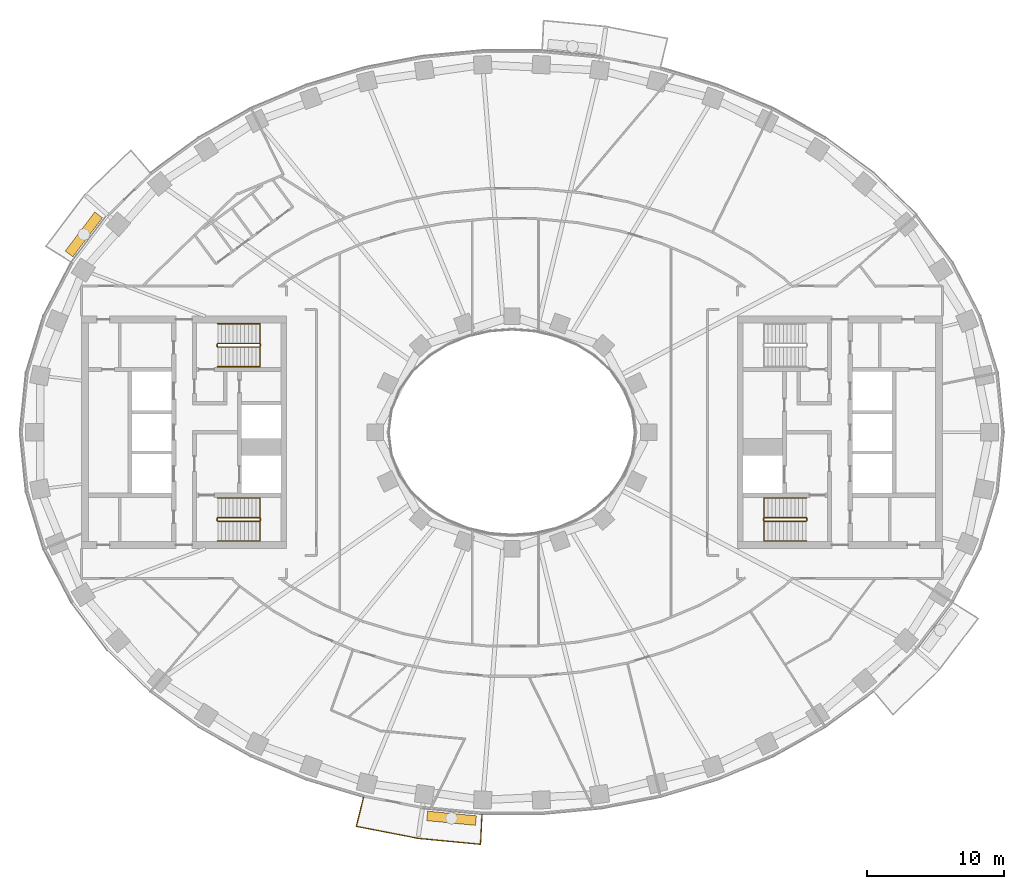
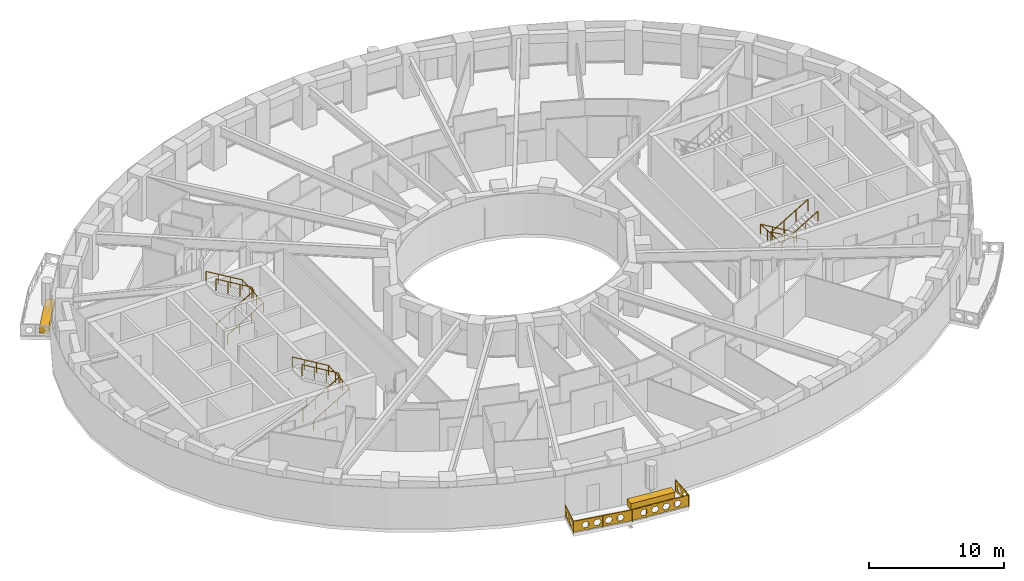
# One storey, part 15 of 17: 7 railings, 2 coverings.
"""IFC4 building model written with IfcOpenShell, lengths in metres."""

import ifcopenshell
import ifcopenshell.guid

model = None  # the IFC model being written
_history = None  # IfcOwnerHistory: only IFC2X3 demands one
_inside = {}  # id of a spatial element -> (the spatial element, [elements in it])
_under = {}  # id of a project, library or spatial element -> (it, [spatial elements below it])
_declared = {}  # id of a project -> (the project, [libraries it declares])
_typed = {}  # id of a type object -> (the type object, [elements of that type])
_made_of = {}  # id of a material, layer set ... -> (it, [elements and type objects made of it])


def new_model(schema):
    """Start an empty IFC model of exactly this schema.

    Asked for "IFC4X3", IfcOpenShell would pick the latest addendum, in which some entities
    have other attributes; the version numbers below select the first issue.
    IFC2X3 requires an IfcOwnerHistory on every rooted entity: one is made here for all.
    """
    global model, _history
    if schema == "IFC4X3":
        model = ifcopenshell.file(schema_version=(4, 3, 0, 0))
    else:
        model = ifcopenshell.file(schema=schema)
    _inside.clear()
    _under.clear()
    _declared.clear()
    _typed.clear()
    _made_of.clear()
    _history = None
    if model.schema == "IFC2X3":
        org = make("IfcOrganization", Name="unknown")
        user = make(
            "IfcPersonAndOrganization",
            ThePerson=make("IfcPerson", FamilyName="unknown"),
            TheOrganization=org,
        )
        app = make(
            "IfcApplication",
            ApplicationDeveloper=org,
            Version="unknown",
            ApplicationFullName="unknown",
            ApplicationIdentifier="unknown",
        )
        _history = make(
            "IfcOwnerHistory",
            OwningUser=user,
            OwningApplication=app,
            ChangeAction="ADDED",
            CreationDate=0,
        )
    return model


def make(cls, **values):
    """One entity of the class cls with the attributes given. An attribute that is None is left unset."""
    return model.create_entity(
        cls, **{name: value for name, value in values.items() if value is not None}
    )


def rooted(cls, **values):
    """An entity with a GlobalId (a new one), such as an element, a storey or a relation."""
    return make(cls, GlobalId=ifcopenshell.guid.new(), OwnerHistory=_history, **values)


def si_unit(unit_type, name, prefix=None):
    """IfcSIUnit, for example si_unit("LENGTHUNIT", "METRE", prefix="MILLI")."""
    return make("IfcSIUnit", UnitType=unit_type, Prefix=prefix, Name=name)


def assignment(units):
    """IfcUnitAssignment: the units of a project."""
    return None if units is None else make("IfcUnitAssignment", Units=units)


def point(xyz):
    """IfcCartesianPoint."""
    return None if xyz is None else make("IfcCartesianPoint", Coordinates=xyz)


def direction(xyz):
    """IfcDirection."""
    return None if xyz is None else make("IfcDirection", DirectionRatios=xyz)


def frame(location, z_axis=None, x_axis=None):
    """IfcAxis2Placement3D, a coordinate frame: its origin and axes. An axis left out is left unset."""
    return make(
        "IfcAxis2Placement3D",
        Location=point(location),
        Axis=direction(z_axis),
        RefDirection=direction(x_axis),
    )


def frame_2d(location, x_axis=None):
    """IfcAxis2Placement2D, a coordinate frame in the plane: its origin and x axis."""
    return make(
        "IfcAxis2Placement2D", Location=point(location), RefDirection=direction(x_axis)
    )


def origin():
    """The frame at (0, 0, 0) with its axes left unset."""
    return frame((0.0, 0.0, 0.0))


def origin_2d():
    """The frame at (0, 0) in the plane with its x axis left unset."""
    return frame_2d((0.0, 0.0))


def place(relative_to, where):
    """IfcLocalPlacement: puts the frame where relative to a parent placement (None: the world)."""
    return make(
        "IfcLocalPlacement", PlacementRelTo=relative_to, RelativePlacement=where
    )


def context(
    kind, dimensions, precision=None, world=None, true_north=None, identifier=None
):
    """IfcGeometricRepresentationContext, for example the 3D "Model" context."""
    return make(
        "IfcGeometricRepresentationContext",
        ContextIdentifier=identifier,
        ContextType=kind,
        CoordinateSpaceDimension=dimensions,
        Precision=precision,
        WorldCoordinateSystem=world,
        TrueNorth=true_north,
    )


def subcontext(parent, identifier, kind, view, scale=None):
    """IfcGeometricRepresentationSubContext, for example "Body" below "Model"."""
    return make(
        "IfcGeometricRepresentationSubContext",
        ContextIdentifier=identifier,
        ContextType=kind,
        ParentContext=parent,
        TargetScale=scale,
        TargetView=view,
    )


def project(units=None, contexts=None):
    """IfcProject with its units and contexts."""
    return rooted(
        "IfcProject",
        Name="project",
        RepresentationContexts=contexts,
        UnitsInContext=assignment(units),
    )


def spatial(cls, under=None, at=None, **own):
    """A site, building, storey or space (cls), placed at a placement, below another one or the project."""
    s = rooted(cls, ObjectPlacement=at, **own)
    if under is not None:
        _under.setdefault(under.id(), (under, []))[1].append(s)
    return s


def polyline(points):
    """IfcPolyline through the points."""
    return make("IfcPolyline", Points=[point(p) for p in points])


def profile(cls, at=None, kind="AREA", **sizes):
    """A parametric profile (cls). Its sizes go by their IFC names, for example OverallWidth=200.0."""
    return make(cls, ProfileType=kind, Position=at, **sizes)


def rectangle(**sizes):
    """IfcRectangleProfileDef."""
    return profile("IfcRectangleProfileDef", **sizes)


def outline(outer, holes=None, kind="AREA"):
    """IfcArbitraryClosedProfileDef: a profile drawn as a closed curve; with holes, ...WithVoids."""
    if holes is None:
        return make("IfcArbitraryClosedProfileDef", ProfileType=kind, OuterCurve=outer)
    return make(
        "IfcArbitraryProfileDefWithVoids",
        ProfileType=kind,
        OuterCurve=outer,
        InnerCurves=holes,
    )


def extrude(swept, where, along, depth):
    """IfcExtrudedAreaSolid: the profile swept, set in the frame where, extruded along a direction by depth."""
    return make(
        "IfcExtrudedAreaSolid",
        SweptArea=swept,
        Position=where,
        ExtrudedDirection=direction(along),
        Depth=depth,
    )


def shape(context_of_items, identifier, shape_type, items):
    """IfcShapeRepresentation: the items that make up one representation, for example the "Body"."""
    return make(
        "IfcShapeRepresentation",
        ContextOfItems=context_of_items,
        RepresentationIdentifier=identifier,
        RepresentationType=shape_type,
        Items=items,
    )


def material(Name=None, Category=None):
    """IfcMaterial."""
    return make("IfcMaterial", Name=Name, Category=Category)


def made_of(thing, what):
    """Note that an element or type object is made of a material, layer set ...; save() writes the relation."""
    if what is not None:
        _made_of.setdefault(what.id(), (what, []))[1].append(thing)
    return thing


def type_object(cls, material=None, **own):
    """A type object (cls), such as IfcWallType, which elements share."""
    return made_of(rooted(cls, **own), material)


def element(
    cls,
    number,
    at=None,
    inside=None,
    cuts=None,
    type_object=None,
    material=None,
    context=None,
    identifier="Body",
    shape_type=None,
    held_by="IfcProductDefinitionShape",
    body=None,
    shapes=None,
    **own,
):
    """One element of the class cls, such as IfcWall. Its Tag is "e" and its number.

    at: its placement. inside: the storey or other place that contains it. cuts: it is an
    opening in that element (IfcRelVoidsElement). A single representation is given by context,
    identifier, shape_type and body (its items); several are given by shapes. held_by: the class
    of the entity that holds the representations. save() writes the other relations.
    """
    e = rooted(cls, Tag="e%d" % number, ObjectPlacement=at, **own)
    if body is not None:
        shapes = [shape(context, identifier, shape_type, body)]
    if shapes is not None:
        e.Representation = make(held_by, Representations=shapes)
    if inside is not None:
        _inside.setdefault(inside.id(), (inside, []))[1].append(e)
    if cuts is not None:
        rooted(
            "IfcRelVoidsElement", RelatingBuildingElement=cuts, RelatedOpeningElement=e
        )
    if type_object is not None:
        _typed.setdefault(type_object.id(), (type_object, []))[1].append(e)
    return made_of(e, material)


def aggregate(whole, parts):
    """IfcRelAggregates: a whole, such as a stair, and the parts it consists of."""
    return rooted("IfcRelAggregates", RelatingObject=whole, RelatedObjects=parts)


def save(model, path):
    """Write the relations noted so far, then the file.

    IfcRelAggregates (storeys below a building ...), IfcRelContainedInSpatialStructure (elements
    in a storey), IfcRelDefinesByType, IfcRelAssociatesMaterial and IfcRelDeclares: one each for
    every whole, place, type object, material and project.
    """
    for whole, parts in _under.values():
        aggregate(whole, parts)
    for where, things in _inside.values():
        rooted(
            "IfcRelContainedInSpatialStructure",
            RelatedElements=things,
            RelatingStructure=where,
        )
    for kind, things in _typed.values():
        rooted("IfcRelDefinesByType", RelatedObjects=things, RelatingType=kind)
    for what, things in _made_of.values():
        rooted("IfcRelAssociatesMaterial", RelatedObjects=things, RelatingMaterial=what)
    for by, libraries in _declared.values():
        rooted("IfcRelDeclares", RelatingContext=by, RelatedDefinitions=libraries)
    model.write(path)


model = new_model("IFC4")

# Units and contexts
model_context = context("Model", 3, precision=1e-05, world=origin(), true_north=direction((0.0, 1.0)))
body_context = subcontext(model_context, "Body", "Model", "MODEL_VIEW")
ifc_project = project(units=[si_unit("LENGTHUNIT", "METRE"), si_unit("AREAUNIT", "SQUARE_METRE"), si_unit("VOLUMEUNIT", "CUBIC_METRE"), si_unit("PLANEANGLEUNIT", "RADIAN"), si_unit("MASSUNIT", "GRAM", prefix="KILO")], contexts=[model_context])

# Site, building, storey
site_placement = place(None, origin())
site = spatial("IfcSite", under=ifc_project, at=site_placement, CompositionType="ELEMENT")
building_placement = place(site_placement, origin())
building = spatial("IfcBuilding", under=site, at=building_placement, Name="Noorbagh Ring Tower", CompositionType="ELEMENT")
storey_placement = place(building_placement, frame((0.0, 0.0, 112.0)))
storey = spatial("IfcBuildingStorey", under=building, at=storey_placement, Name="L25", CompositionType="ELEMENT", Elevation=112.0)

# Railings
ifc_material_1 = material(Name="Stainless steel", Category="steel")
railing_type_1 = type_object("IfcRailingType", Name="CORE-STAIR-GUARD", PredefinedType="GUARDRAIL", material=ifc_material_1)
railing_1_placement = place(storey_placement, frame((-21.580078125, 6.300048828125, 0.0)))
element("IfcRailing", 1, at=railing_1_placement, inside=storey, type_object=railing_type_1, Name="L25 ST1 stair guard", PredefinedType="GUARDRAIL", context=body_context, shape_type="SweptSolid", body=[
    extrude(rectangle(XDim=0.048095703125, YDim=0.048095703125, at=origin_2d()), frame((0.0, 0.0, 1.076171875), z_axis=(0.0, 1.0, 0.0), x_axis=(-1.0, 0.0, 0.0)), (0.0, 0.0, 1.0), 0.14990234375),
    extrude(rectangle(XDim=0.048095703125, YDim=0.048095703125, at=origin_2d()), frame((0.0, 0.14990234375, 1.076171875), z_axis=(0.188775798145, -0.754182335027, 0.628945707965), x_axis=(0.970072785993, 0.242814311512, 0.0)), (0.0, 0.0, 1.0), 0.26513671875),
    extrude(rectangle(XDim=0.048095703125, YDim=0.048095703125, at=origin_2d()), frame((0.050048828125, -0.050048828125, 1.24267578125), z_axis=(0.859308565015, 0.0, 0.511457515432), x_axis=(0.0, 1.0, 0.0)), (0.0, 0.0, 1.0), 3.58447265625),
    extrude(rectangle(XDim=0.048095703125, YDim=0.048095703125, at=origin_2d()), frame((3.130126953125, -0.050048828125, 3.076171875), z_axis=(0.707106781187, 0.707106781187, 0.0), x_axis=(-0.707106781187, 0.707106781187, 0.0)), (0.0, 0.0, 1.0), 0.07080078125),
    extrude(rectangle(XDim=0.048095703125, YDim=0.048095703125, at=origin_2d()), frame((3.18017578125, 0.0, 3.076171875), z_axis=(0.0, 1.0, 0.0), x_axis=(-1.0, 0.0, 0.0)), (0.0, 0.0, 1.0), 0.14990234375),
    extrude(rectangle(XDim=0.048095703125, YDim=0.048095703125, at=origin_2d()), frame((3.18017578125, 0.14990234375, 3.076171875), z_axis=(-0.27628659633, 0.27628659633, 0.920506074601), x_axis=(-0.707106781187, -0.707106781187, 0.0)), (0.0, 0.0, 1.0), 0.18115234375),
    extrude(rectangle(XDim=0.048095703125, YDim=0.048095703125, at=origin_2d()), frame((3.130126953125, 0.199951171875, 3.24267578125), z_axis=(-0.859308565015, 0.0, 0.511457515432), x_axis=(0.0, -1.0, 0.0)), (0.0, 0.0, 1.0), 3.58447265625),
    extrude(rectangle(XDim=0.0419921875, YDim=0.0419921875, at=origin_2d()), origin(), (0.0, 0.0, 1.0), 1.052001953125),
    extrude(rectangle(XDim=0.0419921875, YDim=0.0419921875, at=origin_2d()), frame((1.07666015625, -0.050048828125, 0.77783203125)), (0.0, 0.0, 1.0), 1.052001953125),
    extrude(rectangle(XDim=0.0419921875, YDim=0.0419921875, at=origin_2d()), frame((2.103515625, -0.050048828125, 1.388916015625)), (0.0, 0.0, 1.0), 1.052001953125),
    extrude(rectangle(XDim=0.0419921875, YDim=0.0419921875, at=origin_2d()), frame((3.130126953125, -0.050048828125, 2.0)), (0.0, 0.0, 1.0), 1.052001953125),
    extrude(rectangle(XDim=0.0419921875, YDim=0.0419921875, at=origin_2d()), frame((3.130126953125, 0.199951171875, 2.166748046875)), (0.0, 0.0, 1.0), 1.052001953125),
    extrude(rectangle(XDim=0.0419921875, YDim=0.0419921875, at=origin_2d()), frame((2.103515625, 0.199951171875, 2.77783203125)), (0.0, 0.0, 1.0), 1.052001953125),
    extrude(rectangle(XDim=0.0419921875, YDim=0.0419921875, at=origin_2d()), frame((1.07666015625, 0.199951171875, 3.388916015625)), (0.0, 0.0, 1.0), 1.052001953125),
    extrude(rectangle(XDim=0.0419921875, YDim=0.0419921875, at=origin_2d()), frame((0.050048828125, 0.199951171875, 4.0)), (0.0, 0.0, 1.0), 1.052001953125),
])
railing_2_placement = place(storey_placement, frame((-21.580078125, -6.449951171875, 0.0)))
element("IfcRailing", 2, at=railing_2_placement, inside=storey, type_object=railing_type_1, Name="L25 ST2 stair guard", PredefinedType="GUARDRAIL", context=body_context, shape_type="SweptSolid", body=[
    extrude(rectangle(XDim=0.048095703125, YDim=0.048095703125, at=origin_2d()), frame((0.0, 0.0, 1.076171875), z_axis=(0.0, 1.0, 0.0), x_axis=(-1.0, 0.0, 0.0)), (0.0, 0.0, 1.0), 0.14990234375),
    extrude(rectangle(XDim=0.048095703125, YDim=0.048095703125, at=origin_2d()), frame((0.0, 0.14990234375, 1.076171875), z_axis=(0.188775798145, -0.754182335027, 0.628945707965), x_axis=(0.970072785993, 0.242814311512, 0.0)), (0.0, 0.0, 1.0), 0.26513671875),
    extrude(rectangle(XDim=0.048095703125, YDim=0.048095703125, at=origin_2d()), frame((0.050048828125, -0.050048828125, 1.24267578125), z_axis=(0.859308565015, 0.0, 0.511457515432), x_axis=(0.0, 1.0, 0.0)), (0.0, 0.0, 1.0), 3.58447265625),
    extrude(rectangle(XDim=0.048095703125, YDim=0.048095703125, at=origin_2d()), frame((3.130126953125, -0.050048828125, 3.076171875), z_axis=(0.707106781187, 0.707106781187, 0.0), x_axis=(-0.707106781187, 0.707106781187, 0.0)), (0.0, 0.0, 1.0), 0.07080078125),
    extrude(rectangle(XDim=0.048095703125, YDim=0.048095703125, at=origin_2d()), frame((3.18017578125, 0.0, 3.076171875), z_axis=(0.0, 1.0, 0.0), x_axis=(-1.0, 0.0, 0.0)), (0.0, 0.0, 1.0), 0.14990234375),
    extrude(rectangle(XDim=0.048095703125, YDim=0.048095703125, at=origin_2d()), frame((3.18017578125, 0.14990234375, 3.076171875), z_axis=(-0.27628659633, 0.27628659633, 0.920506074601), x_axis=(-0.707106781187, -0.707106781187, 0.0)), (0.0, 0.0, 1.0), 0.18115234375),
    extrude(rectangle(XDim=0.048095703125, YDim=0.048095703125, at=origin_2d()), frame((3.130126953125, 0.199951171875, 3.24267578125), z_axis=(-0.859308565015, 0.0, 0.511457515432), x_axis=(0.0, -1.0, 0.0)), (0.0, 0.0, 1.0), 3.58447265625),
    extrude(rectangle(XDim=0.0419921875, YDim=0.0419921875, at=origin_2d()), origin(), (0.0, 0.0, 1.0), 1.052001953125),
    extrude(rectangle(XDim=0.0419921875, YDim=0.0419921875, at=origin_2d()), frame((1.07666015625, -0.050048828125, 0.77783203125)), (0.0, 0.0, 1.0), 1.052001953125),
    extrude(rectangle(XDim=0.0419921875, YDim=0.0419921875, at=origin_2d()), frame((2.103515625, -0.050048828125, 1.388916015625)), (0.0, 0.0, 1.0), 1.052001953125),
    extrude(rectangle(XDim=0.0419921875, YDim=0.0419921875, at=origin_2d()), frame((3.130126953125, -0.050048828125, 2.0)), (0.0, 0.0, 1.0), 1.052001953125),
    extrude(rectangle(XDim=0.0419921875, YDim=0.0419921875, at=origin_2d()), frame((3.130126953125, 0.199951171875, 2.166748046875)), (0.0, 0.0, 1.0), 1.052001953125),
    extrude(rectangle(XDim=0.0419921875, YDim=0.0419921875, at=origin_2d()), frame((2.103515625, 0.199951171875, 2.77783203125)), (0.0, 0.0, 1.0), 1.052001953125),
    extrude(rectangle(XDim=0.0419921875, YDim=0.0419921875, at=origin_2d()), frame((1.07666015625, 0.199951171875, 3.388916015625)), (0.0, 0.0, 1.0), 1.052001953125),
    extrude(rectangle(XDim=0.0419921875, YDim=0.0419921875, at=origin_2d()), frame((0.050048828125, 0.199951171875, 4.0)), (0.0, 0.0, 1.0), 1.052001953125),
])
railing_3_placement = place(storey_placement, frame((21.580078125, -6.300048828125, 0.0)))
element("IfcRailing", 3, at=railing_3_placement, inside=storey, type_object=railing_type_1, Name="L25 ST4 stair guard", PredefinedType="GUARDRAIL", context=body_context, shape_type="SweptSolid", body=[
    extrude(rectangle(XDim=0.048095703125, YDim=0.048095703125, at=origin_2d()), frame((0.0, 0.0, 1.076171875), z_axis=(0.0, -1.0, 0.0), x_axis=(1.0, 0.0, 0.0)), (0.0, 0.0, 1.0), 0.14990234375),
    extrude(rectangle(XDim=0.048095703125, YDim=0.048095703125, at=origin_2d()), frame((0.0, -0.14990234375, 1.076171875), z_axis=(-0.188775798145, 0.754182335027, 0.628945707965), x_axis=(-0.970072785993, -0.242814311512, 0.0)), (0.0, 0.0, 1.0), 0.26513671875),
    extrude(rectangle(XDim=0.048095703125, YDim=0.048095703125, at=origin_2d()), frame((-0.050048828125, 0.050048828125, 1.24267578125), z_axis=(-0.859308565015, 0.0, 0.511457515432), x_axis=(0.0, -1.0, 0.0)), (0.0, 0.0, 1.0), 3.58447265625),
    extrude(rectangle(XDim=0.048095703125, YDim=0.048095703125, at=origin_2d()), frame((-3.130126953125, 0.050048828125, 3.076171875), z_axis=(-0.707106781187, -0.707106781187, 0.0), x_axis=(0.707106781187, -0.707106781187, 0.0)), (0.0, 0.0, 1.0), 0.07080078125),
    extrude(rectangle(XDim=0.048095703125, YDim=0.048095703125, at=origin_2d()), frame((-3.18017578125, 0.0, 3.076171875), z_axis=(0.0, -1.0, 0.0), x_axis=(1.0, 0.0, 0.0)), (0.0, 0.0, 1.0), 0.14990234375),
    extrude(rectangle(XDim=0.048095703125, YDim=0.048095703125, at=origin_2d()), frame((-3.18017578125, -0.14990234375, 3.076171875), z_axis=(0.27628659633, -0.27628659633, 0.920506074601), x_axis=(0.707106781187, 0.707106781187, 0.0)), (0.0, 0.0, 1.0), 0.18115234375),
    extrude(rectangle(XDim=0.048095703125, YDim=0.048095703125, at=origin_2d()), frame((-3.130126953125, -0.199951171875, 3.24267578125), z_axis=(0.859308565015, 0.0, 0.511457515432), x_axis=(0.0, 1.0, 0.0)), (0.0, 0.0, 1.0), 3.58447265625),
    extrude(rectangle(XDim=0.0419921875, YDim=0.0419921875, at=origin_2d()), origin(), (0.0, 0.0, 1.0), 1.052001953125),
    extrude(rectangle(XDim=0.0419921875, YDim=0.0419921875, at=origin_2d()), frame((-1.07666015625, 0.050048828125, 0.77783203125)), (0.0, 0.0, 1.0), 1.052001953125),
    extrude(rectangle(XDim=0.0419921875, YDim=0.0419921875, at=origin_2d()), frame((-2.103515625, 0.050048828125, 1.388916015625)), (0.0, 0.0, 1.0), 1.052001953125),
    extrude(rectangle(XDim=0.0419921875, YDim=0.0419921875, at=origin_2d()), frame((-3.130126953125, 0.050048828125, 2.0)), (0.0, 0.0, 1.0), 1.052001953125),
    extrude(rectangle(XDim=0.0419921875, YDim=0.0419921875, at=origin_2d()), frame((-3.130126953125, -0.199951171875, 2.166748046875)), (0.0, 0.0, 1.0), 1.052001953125),
    extrude(rectangle(XDim=0.0419921875, YDim=0.0419921875, at=origin_2d()), frame((-2.103515625, -0.199951171875, 2.77783203125)), (0.0, 0.0, 1.0), 1.052001953125),
    extrude(rectangle(XDim=0.0419921875, YDim=0.0419921875, at=origin_2d()), frame((-1.07666015625, -0.199951171875, 3.388916015625)), (0.0, 0.0, 1.0), 1.052001953125),
    extrude(rectangle(XDim=0.0419921875, YDim=0.0419921875, at=origin_2d()), frame((-0.050048828125, -0.199951171875, 4.0)), (0.0, 0.0, 1.0), 1.052001953125),
])
ifc_material_2 = material(Name="Stainless steel", Category="steel")
railing_type_2 = type_object("IfcRailingType", Name="CORE-STAIR-HANDRAIL", PredefinedType="HANDRAIL", material=ifc_material_2)
railing_4_placement = place(storey_placement, frame((-21.530029296875, 4.800048828125, 0.166748046875)))
element("IfcRailing", 4, at=railing_4_placement, inside=storey, type_object=railing_type_2, Name="L25 ST1 stair handrail", PredefinedType="HANDRAIL", context=body_context, shape_type="SweptSolid", body=[
    extrude(rectangle(XDim=0.048095703125, YDim=0.048095703125, at=origin_2d()), frame((0.0, 0.0, 0.8759765625), z_axis=(0.859308565015, 0.0, 0.511457515432), x_axis=(0.0, 1.0, 0.0)), (0.0, 0.0, 1.0), 3.58447265625),
    extrude(rectangle(XDim=0.048095703125, YDim=0.048095703125, at=origin_2d()), frame((3.080078125, 0.0, 2.708984375), z_axis=(0.0, 0.998601747152, 0.052863509014), x_axis=(-1.0, 0.0, 0.0)), (0.0, 0.0, 1.0), 3.154296875),
    extrude(rectangle(XDim=0.048095703125, YDim=0.048095703125, at=origin_2d()), frame((3.080078125, 3.14990234375, 2.8759765625), z_axis=(-0.859308565015, 0.0, 0.511457515432), x_axis=(0.0, -1.0, 0.0)), (0.0, 0.0, 1.0), 3.58447265625),
    extrude(rectangle(XDim=0.0419921875, YDim=0.0419921875, at=origin_2d()), origin(), (0.0, 0.0, 1.0), 0.851806640625),
    extrude(rectangle(XDim=0.0419921875, YDim=0.0419921875, at=origin_2d()), frame((1.026611328125, 0.0, 0.611083984375)), (0.0, 0.0, 1.0), 0.851806640625),
    extrude(rectangle(XDim=0.0419921875, YDim=0.0419921875, at=origin_2d()), frame((2.053466796875, 0.0, 1.22216796875)), (0.0, 0.0, 1.0), 0.851806640625),
    extrude(rectangle(XDim=0.0419921875, YDim=0.0419921875, at=origin_2d()), frame((3.080078125, 0.0, 1.833251953125)), (0.0, 0.0, 1.0), 0.851806640625),
    extrude(rectangle(XDim=0.0419921875, YDim=0.0419921875, at=origin_2d()), frame((3.080078125, 1.050048828125, 1.888916015625)), (0.0, 0.0, 1.0), 0.851806640625),
    extrude(rectangle(XDim=0.0419921875, YDim=0.0419921875, at=origin_2d()), frame((3.080078125, 2.099853515625, 1.9443359375)), (0.0, 0.0, 1.0), 0.851806640625),
    extrude(rectangle(XDim=0.0419921875, YDim=0.0419921875, at=origin_2d()), frame((3.080078125, 3.14990234375, 2.0)), (0.0, 0.0, 1.0), 0.851806640625),
    extrude(rectangle(XDim=0.0419921875, YDim=0.0419921875, at=origin_2d()), frame((2.053466796875, 3.14990234375, 2.611083984375)), (0.0, 0.0, 1.0), 0.851806640625),
    extrude(rectangle(XDim=0.0419921875, YDim=0.0419921875, at=origin_2d()), frame((1.026611328125, 3.14990234375, 3.22216796875)), (0.0, 0.0, 1.0), 0.851806640625),
    extrude(rectangle(XDim=0.0419921875, YDim=0.0419921875, at=origin_2d()), frame((0.0, 3.14990234375, 3.833251953125)), (0.0, 0.0, 1.0), 0.851806640625),
])
railing_5_placement = place(storey_placement, frame((-21.530029296875, -7.949951171875, 0.166748046875)))
element("IfcRailing", 5, at=railing_5_placement, inside=storey, type_object=railing_type_2, Name="L25 ST2 stair handrail", PredefinedType="HANDRAIL", context=body_context, shape_type="SweptSolid", body=[
    extrude(rectangle(XDim=0.048095703125, YDim=0.048095703125, at=origin_2d()), frame((0.0, 0.0, 0.8759765625), z_axis=(0.859308565015, 0.0, 0.511457515432), x_axis=(0.0, 1.0, 0.0)), (0.0, 0.0, 1.0), 3.58447265625),
    extrude(rectangle(XDim=0.048095703125, YDim=0.048095703125, at=origin_2d()), frame((3.080078125, 0.0, 2.708984375), z_axis=(0.0, 0.998601747152, 0.052863509014), x_axis=(-1.0, 0.0, 0.0)), (0.0, 0.0, 1.0), 3.154296875),
    extrude(rectangle(XDim=0.048095703125, YDim=0.048095703125, at=origin_2d()), frame((3.080078125, 3.14990234375, 2.8759765625), z_axis=(-0.859308565015, 0.0, 0.511457515432), x_axis=(0.0, -1.0, 0.0)), (0.0, 0.0, 1.0), 3.58447265625),
    extrude(rectangle(XDim=0.0419921875, YDim=0.0419921875, at=origin_2d()), origin(), (0.0, 0.0, 1.0), 0.851806640625),
    extrude(rectangle(XDim=0.0419921875, YDim=0.0419921875, at=origin_2d()), frame((1.026611328125, 0.0, 0.611083984375)), (0.0, 0.0, 1.0), 0.851806640625),
    extrude(rectangle(XDim=0.0419921875, YDim=0.0419921875, at=origin_2d()), frame((2.053466796875, 0.0, 1.22216796875)), (0.0, 0.0, 1.0), 0.851806640625),
    extrude(rectangle(XDim=0.0419921875, YDim=0.0419921875, at=origin_2d()), frame((3.080078125, 0.0, 1.833251953125)), (0.0, 0.0, 1.0), 0.851806640625),
    extrude(rectangle(XDim=0.0419921875, YDim=0.0419921875, at=origin_2d()), frame((3.080078125, 1.050048828125, 1.888916015625)), (0.0, 0.0, 1.0), 0.851806640625),
    extrude(rectangle(XDim=0.0419921875, YDim=0.0419921875, at=origin_2d()), frame((3.080078125, 2.099853515625, 1.9443359375)), (0.0, 0.0, 1.0), 0.851806640625),
    extrude(rectangle(XDim=0.0419921875, YDim=0.0419921875, at=origin_2d()), frame((3.080078125, 3.14990234375, 2.0)), (0.0, 0.0, 1.0), 0.851806640625),
    extrude(rectangle(XDim=0.0419921875, YDim=0.0419921875, at=origin_2d()), frame((2.053466796875, 3.14990234375, 2.611083984375)), (0.0, 0.0, 1.0), 0.851806640625),
    extrude(rectangle(XDim=0.0419921875, YDim=0.0419921875, at=origin_2d()), frame((1.026611328125, 3.14990234375, 3.22216796875)), (0.0, 0.0, 1.0), 0.851806640625),
    extrude(rectangle(XDim=0.0419921875, YDim=0.0419921875, at=origin_2d()), frame((0.0, 3.14990234375, 3.833251953125)), (0.0, 0.0, 1.0), 0.851806640625),
])
railing_6_placement = place(storey_placement, frame((21.530029296875, -4.800048828125, 0.166748046875)))
element("IfcRailing", 6, at=railing_6_placement, inside=storey, type_object=railing_type_2, Name="L25 ST4 stair handrail", PredefinedType="HANDRAIL", context=body_context, shape_type="SweptSolid", body=[
    extrude(rectangle(XDim=0.048095703125, YDim=0.048095703125, at=origin_2d()), frame((0.0, 0.0, 0.8759765625), z_axis=(-0.859308565015, 0.0, 0.511457515432), x_axis=(0.0, -1.0, 0.0)), (0.0, 0.0, 1.0), 3.58447265625),
    extrude(rectangle(XDim=0.048095703125, YDim=0.048095703125, at=origin_2d()), frame((-3.080078125, 0.0, 2.708984375), z_axis=(0.0, -0.998601747152, 0.052863509014), x_axis=(1.0, 0.0, 0.0)), (0.0, 0.0, 1.0), 3.154296875),
    extrude(rectangle(XDim=0.048095703125, YDim=0.048095703125, at=origin_2d()), frame((-3.080078125, -3.14990234375, 2.8759765625), z_axis=(0.859308565015, 0.0, 0.511457515432), x_axis=(0.0, 1.0, 0.0)), (0.0, 0.0, 1.0), 3.58447265625),
    extrude(rectangle(XDim=0.0419921875, YDim=0.0419921875, at=origin_2d()), origin(), (0.0, 0.0, 1.0), 0.851806640625),
    extrude(rectangle(XDim=0.0419921875, YDim=0.0419921875, at=origin_2d()), frame((-1.026611328125, 0.0, 0.611083984375)), (0.0, 0.0, 1.0), 0.851806640625),
    extrude(rectangle(XDim=0.0419921875, YDim=0.0419921875, at=origin_2d()), frame((-2.053466796875, 0.0, 1.22216796875)), (0.0, 0.0, 1.0), 0.851806640625),
    extrude(rectangle(XDim=0.0419921875, YDim=0.0419921875, at=origin_2d()), frame((-3.080078125, 0.0, 1.833251953125)), (0.0, 0.0, 1.0), 0.851806640625),
    extrude(rectangle(XDim=0.0419921875, YDim=0.0419921875, at=origin_2d()), frame((-3.080078125, -1.050048828125, 1.888916015625)), (0.0, 0.0, 1.0), 0.851806640625),
    extrude(rectangle(XDim=0.0419921875, YDim=0.0419921875, at=origin_2d()), frame((-3.080078125, -2.099853515625, 1.9443359375)), (0.0, 0.0, 1.0), 0.851806640625),
    extrude(rectangle(XDim=0.0419921875, YDim=0.0419921875, at=origin_2d()), frame((-3.080078125, -3.14990234375, 2.0)), (0.0, 0.0, 1.0), 0.851806640625),
    extrude(rectangle(XDim=0.0419921875, YDim=0.0419921875, at=origin_2d()), frame((-2.053466796875, -3.14990234375, 2.611083984375)), (0.0, 0.0, 1.0), 0.851806640625),
    extrude(rectangle(XDim=0.0419921875, YDim=0.0419921875, at=origin_2d()), frame((-1.026611328125, -3.14990234375, 3.22216796875)), (0.0, 0.0, 1.0), 0.851806640625),
    extrude(rectangle(XDim=0.0419921875, YDim=0.0419921875, at=origin_2d()), frame((0.0, -3.14990234375, 3.833251953125)), (0.0, 0.0, 1.0), 0.851806640625),
])
ifc_material_3 = material(Name="Steel S275 black powder-coated", Category="steel")
railing_type_3 = type_object("IfcRailingType", Name="ENV-GUARD", PredefinedType="GUARDRAIL", material=ifc_material_3)
railing_7_placement = place(storey_placement, frame((-10.865234375, -26.6943359375, 0.0)))
element("IfcRailing", 7, at=railing_7_placement, inside=storey, type_object=railing_type_3, Name="Balcony guard BS03", PredefinedType="GUARDRAIL", context=body_context, shape_type="SweptSolid", body=[
    extrude(rectangle(XDim=0.048095703125, YDim=0.048095703125, at=origin_2d()), frame((0.0, 0.0, 1.076171875), z_axis=(-0.239848558412, -0.970810315679, 0.0), x_axis=(0.970810315679, -0.239848558412, 0.0)), (0.0, 0.0, 1.0), 2.20263671875),
    extrude(rectangle(XDim=0.048095703125, YDim=0.048095703125, at=origin_2d()), frame((-0.5283203125, -2.138427734375, 1.076171875), z_axis=(0.981625049064, -0.1908199755, 0.0), x_axis=(0.1908199755, 0.981625049064, 0.0)), (0.0, 0.0, 1.0), 4.603271484375),
    extrude(rectangle(XDim=0.048095703125, YDim=0.048095703125, at=origin_2d()), frame((3.990478515625, -3.016845703125, 1.076171875), z_axis=(0.995477555764, -0.094997031379, 0.0), x_axis=(0.094997031379, 0.995477555764, 0.0)), (0.0, 0.0, 1.0), 4.59765625),
    extrude(rectangle(XDim=0.048095703125, YDim=0.048095703125, at=origin_2d()), frame((8.5673828125, -3.45361328125, 1.076171875), z_axis=(0.047554616162, 0.998868639252, 0.0), x_axis=(-0.998868639252, 0.047554616162, 0.0)), (0.0, 0.0, 1.0), 2.202392578125),
    extrude(rectangle(XDim=0.0419921875, YDim=0.0419921875, at=origin_2d()), origin(), (0.0, 0.0, 1.0), 1.052001953125),
    extrude(rectangle(XDim=0.0419921875, YDim=0.0419921875, at=origin_2d()), frame((-0.26416015625, -1.0693359375, 0.0)), (0.0, 0.0, 1.0), 1.052001953125),
    extrude(rectangle(XDim=0.0419921875, YDim=0.0419921875, at=origin_2d()), frame((-0.5283203125, -2.138427734375, 0.0)), (0.0, 0.0, 1.0), 1.052001953125),
    extrude(rectangle(XDim=0.0419921875, YDim=0.0419921875, at=origin_2d()), frame((0.601318359375, -2.35791015625, 0.0)), (0.0, 0.0, 1.0), 1.052001953125),
    extrude(rectangle(XDim=0.0419921875, YDim=0.0419921875, at=origin_2d()), frame((1.73095703125, -2.57763671875, 0.0)), (0.0, 0.0, 1.0), 1.052001953125),
    extrude(rectangle(XDim=0.0419921875, YDim=0.0419921875, at=origin_2d()), frame((2.86083984375, -2.79736328125, 0.0)), (0.0, 0.0, 1.0), 1.052001953125),
    extrude(rectangle(XDim=0.0419921875, YDim=0.0419921875, at=origin_2d()), frame((3.990478515625, -3.016845703125, 0.0)), (0.0, 0.0, 1.0), 1.052001953125),
    extrude(rectangle(XDim=0.0419921875, YDim=0.0419921875, at=origin_2d()), frame((5.134765625, -3.1259765625, 0.0)), (0.0, 0.0, 1.0), 1.052001953125),
    extrude(rectangle(XDim=0.0419921875, YDim=0.0419921875, at=origin_2d()), frame((6.27880859375, -3.2353515625, 0.0)), (0.0, 0.0, 1.0), 1.052001953125),
    extrude(rectangle(XDim=0.0419921875, YDim=0.0419921875, at=origin_2d()), frame((7.423095703125, -3.344482421875, 0.0)), (0.0, 0.0, 1.0), 1.052001953125),
    extrude(rectangle(XDim=0.0419921875, YDim=0.0419921875, at=origin_2d()), frame((8.5673828125, -3.45361328125, 0.0)), (0.0, 0.0, 1.0), 1.052001953125),
    extrude(rectangle(XDim=0.0419921875, YDim=0.0419921875, at=origin_2d()), frame((8.61962890625, -2.353515625, 0.0)), (0.0, 0.0, 1.0), 1.052001953125),
    extrude(rectangle(XDim=0.0419921875, YDim=0.0419921875, at=origin_2d()), frame((8.672119140625, -1.253662109375, 0.0)), (0.0, 0.0, 1.0), 1.052001953125),
    extrude(outline(polyline([(0.0, 0.10009765625), (2.20263671875, 0.10009765625), (2.20263671875, 1.031982421875), (0.0, 1.031982421875), (0.0, 0.10009765625)]), holes=[polyline([(0.96142578125, 0.56591796875), (0.806396484375, 0.83447265625), (0.496337890625, 0.83447265625), (0.34130859375, 0.56591796875), (0.496337890625, 0.297607421875), (0.806396484375, 0.297607421875), (0.96142578125, 0.56591796875)]), polyline([(1.861328125, 0.56591796875), (1.706298828125, 0.83447265625), (1.396240234375, 0.83447265625), (1.241455078125, 0.56591796875), (1.396240234375, 0.297607421875), (1.706298828125, 0.297607421875), (1.861328125, 0.56591796875)])]), frame((0.009765625, -0.00244140625, 0.0), z_axis=(-0.970810315679, 0.239848558412, 0.0), x_axis=(-0.239848558412, -0.970810315679, 0.0)), (0.0, 0.0, 1.0), 0.02001953125),
    extrude(outline(polyline([(0.0, 0.10009765625), (4.603271484375, 0.10009765625), (4.603271484375, 1.031982421875), (0.0, 1.031982421875), (0.0, 0.10009765625)]), holes=[polyline([(1.26171875, 0.56591796875), (1.106689453125, 0.83447265625), (0.796630859375, 0.83447265625), (0.6416015625, 0.56591796875), (0.796630859375, 0.297607421875), (1.106689453125, 0.297607421875), (1.26171875, 0.56591796875)]), polyline([(2.16162109375, 0.56591796875), (2.006591796875, 0.83447265625), (1.69677734375, 0.83447265625), (1.541748046875, 0.56591796875), (1.69677734375, 0.297607421875), (2.006591796875, 0.297607421875), (2.16162109375, 0.56591796875)]), polyline([(3.061767578125, 0.56591796875), (2.90673828125, 0.83447265625), (2.5966796875, 0.83447265625), (2.441650390625, 0.56591796875), (2.5966796875, 0.297607421875), (2.90673828125, 0.297607421875), (3.061767578125, 0.56591796875)]), polyline([(3.961669921875, 0.56591796875), (3.806640625, 0.83447265625), (3.49658203125, 0.83447265625), (3.341796875, 0.56591796875), (3.49658203125, 0.297607421875), (3.806640625, 0.297607421875), (3.961669921875, 0.56591796875)])]), frame((-0.5263671875, -2.128662109375, 0.0), z_axis=(-0.1908199755, -0.981625049064, 0.0), x_axis=(0.981625049064, -0.1908199755, 0.0)), (0.0, 0.0, 1.0), 0.02001953125),
    extrude(outline(polyline([(0.0, 0.10009765625), (4.59765625, 0.10009765625), (4.59765625, 1.031982421875), (0.0, 1.031982421875), (0.0, 0.10009765625)]), holes=[polyline([(1.2587890625, 0.56591796875), (1.103759765625, 0.83447265625), (0.7939453125, 0.83447265625), (0.638916015625, 0.56591796875), (0.7939453125, 0.297607421875), (1.103759765625, 0.297607421875), (1.2587890625, 0.56591796875)]), polyline([(2.158935546875, 0.56591796875), (2.00390625, 0.83447265625), (1.69384765625, 0.83447265625), (1.538818359375, 0.56591796875), (1.69384765625, 0.297607421875), (2.00390625, 0.297607421875), (2.158935546875, 0.56591796875)]), polyline([(3.058837890625, 0.56591796875), (2.90380859375, 0.83447265625), (2.59375, 0.83447265625), (2.43896484375, 0.56591796875), (2.59375, 0.297607421875), (2.90380859375, 0.297607421875), (3.058837890625, 0.56591796875)]), polyline([(3.958740234375, 0.56591796875), (3.803955078125, 0.83447265625), (3.493896484375, 0.83447265625), (3.3388671875, 0.56591796875), (3.493896484375, 0.297607421875), (3.803955078125, 0.297607421875), (3.958740234375, 0.56591796875)])]), frame((3.991455078125, -3.0068359375, 0.0), z_axis=(-0.094997031379, -0.995477555764, 0.0), x_axis=(0.995477555764, -0.094997031379, 0.0)), (0.0, 0.0, 1.0), 0.02001953125),
    extrude(outline(polyline([(0.0, 0.10009765625), (2.202392578125, 0.10009765625), (2.202392578125, 1.031982421875), (0.0, 1.031982421875), (0.0, 0.10009765625)]), holes=[polyline([(0.961181640625, 0.56591796875), (0.80615234375, 0.83447265625), (0.496337890625, 0.83447265625), (0.34130859375, 0.56591796875), (0.496337890625, 0.297607421875), (0.80615234375, 0.297607421875), (0.961181640625, 0.56591796875)]), polyline([(1.861328125, 0.56591796875), (1.706298828125, 0.83447265625), (1.396240234375, 0.83447265625), (1.2412109375, 0.56591796875), (1.396240234375, 0.297607421875), (1.706298828125, 0.297607421875), (1.861328125, 0.56591796875)])]), frame((8.557373046875, -3.453125, 0.0), z_axis=(0.998868639252, -0.047554616162, 0.0), x_axis=(0.047554616162, 0.998868639252, 0.0)), (0.0, 0.0, 1.0), 0.02001953125),
])

# Coverings
ifc_material_4 = material(Name="Concrete C30/37 planter with soil", Category="concrete")
covering_type = type_object("IfcCoveringType", Name="ENV-PLANTER", PredefinedType="CLADDING", material=ifc_material_4)
covering_1_placement = place(storey_placement, frame((-31.329833984375, 14.4833984375, 0.0), z_axis=(0.0, 0.0, 1.0), x_axis=(-0.604020184358, -0.796969018776, 0.0)))
element("IfcCovering", 8, at=covering_1_placement, inside=storey, type_object=covering_type, Name="PLANTER BN06", ObjectType="PLANTER", PredefinedType="CLADDING", context=body_context, shape_type="SweptSolid", body=[
    extrude(rectangle(XDim=3.583251953125, YDim=0.699951171875, at=origin_2d()), origin(), (0.0, 0.0, 1.0), 0.60009765625),
])
covering_2_placement = place(storey_placement, frame((-4.423828125, -28.2373046875, 0.0), z_axis=(0.0, 0.0, 1.0), x_axis=(0.995476497323, -0.095008122171, 0.0)))
element("IfcCovering", 9, at=covering_2_placement, inside=storey, type_object=covering_type, Name="PLANTER BS03", ObjectType="PLANTER", PredefinedType="CLADDING", context=body_context, shape_type="SweptSolid", body=[
    extrude(rectangle(XDim=3.58642578125, YDim=0.699951171875, at=origin_2d()), origin(), (0.0, 0.0, 1.0), 0.60009765625),
])

save(model, "model.ifc")
